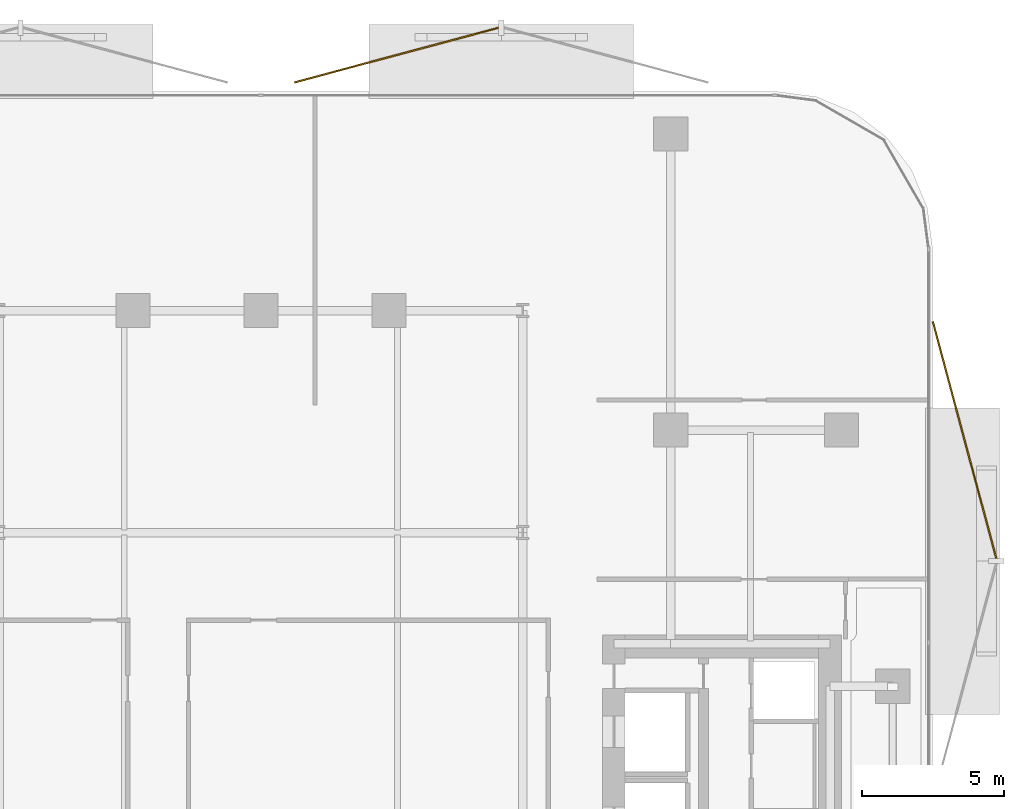
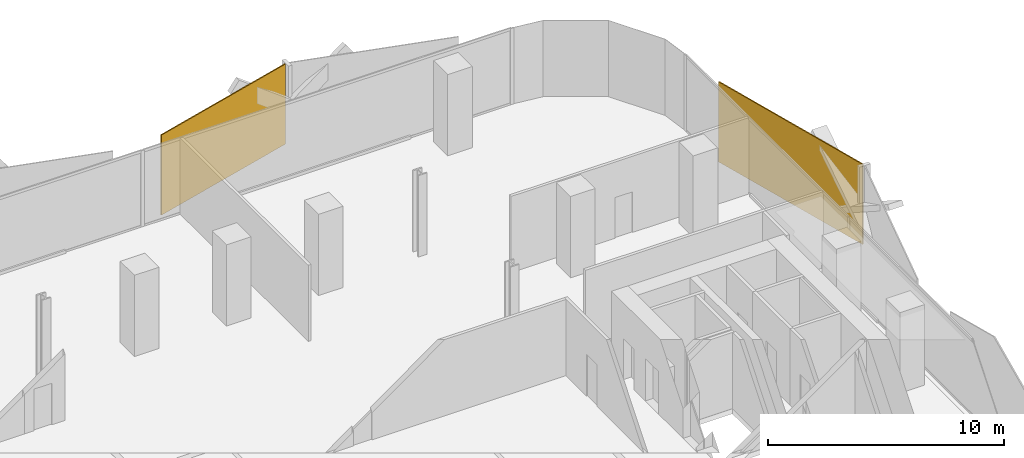
# One storey, part 16 of 16: 2 coverings.
"""IFC4 building model written with IfcOpenShell, lengths in metres."""

from ifc_helpers import new_model, si_unit, direction, frame, origin, origin_2d, place, context, subcontext, project, spatial, rectangle, extrude, material, layer, layer_set, type_object, element, save


model = new_model("IFC4")

# Units and contexts
model_context = context("Model", 3, precision=1e-05, world=origin(), true_north=direction((0.0, 1.0)))
body_context = subcontext(model_context, "Body", "Model", "MODEL_VIEW")
ifc_project = project(units=[si_unit("LENGTHUNIT", "METRE"), si_unit("AREAUNIT", "SQUARE_METRE"), si_unit("VOLUMEUNIT", "CUBIC_METRE"), si_unit("PLANEANGLEUNIT", "RADIAN"), si_unit("MASSUNIT", "GRAM", prefix="KILO")], contexts=[model_context])

# Site, building, storey
site_placement = place(None, origin())
site = spatial("IfcSite", under=ifc_project, at=site_placement, CompositionType="ELEMENT")
building_placement = place(site_placement, origin())
building = spatial("IfcBuilding", under=site, at=building_placement, Name="Khairoan Windgate Tower", CompositionType="ELEMENT")
storey_placement = place(building_placement, frame((0.0, 0.0, 97.39990234375)))
storey = spatial("IfcBuildingStorey", under=building, at=storey_placement, Name="L22", CompositionType="ELEMENT", Elevation=97.39990234375)

# Coverings
ifc_material = material(Name="Anodised Bronze Aluminium 6063-T6", Category="aluminium")
ifc_layer = layer(ifc_material, 0.054931640625, Name="Anodised Bronze Aluminium 6063-T6")
ifc_layer_set = layer_set([ifc_layer], Name="Anodised Bronze Aluminium 6063-T6")
covering_type = type_object("IfcCoveringType", Name="Perforated Bronze-Ceramic Folded Solar Screen Cladding BSC-1", PredefinedType="CLADDING", material=ifc_layer_set)
covering_1_placement = place(storey_placement, frame((4.76611328125, 27.578125, -0.099609375), z_axis=(0.0, 0.0, 1.0), x_axis=(0.965925826289, 0.258819045103, 0.0)))
element("IfcCovering", 1, at=covering_1_placement, inside=storey, type_object=covering_type, Name="L22 Folded Bronze Solar Screen Facet 126L", PredefinedType="CLADDING", context=body_context, shape_type="SweptSolid", body=[
    extrude(rectangle(XDim=7.431884765625, YDim=0.054931640625, at=origin_2d()), origin(), (0.0, 0.0, 1.0), 4.139892578125),
])
covering_2_placement = place(storey_placement, frame((24.724609375, 14.048583984375, -0.099609375), z_axis=(0.0, 0.0, 1.0), x_axis=(0.258819045103, -0.965925826289, 0.0)))
element("IfcCovering", 2, at=covering_2_placement, inside=storey, type_object=covering_type, Name="L22 Folded Bronze Solar Screen Facet 127L", PredefinedType="CLADDING", context=body_context, shape_type="SweptSolid", body=[
    extrude(rectangle(XDim=8.6201171875, YDim=0.054931640625, at=origin_2d()), origin(), (0.0, 0.0, 1.0), 4.139892578125),
])

save(model, "model.ifc")
